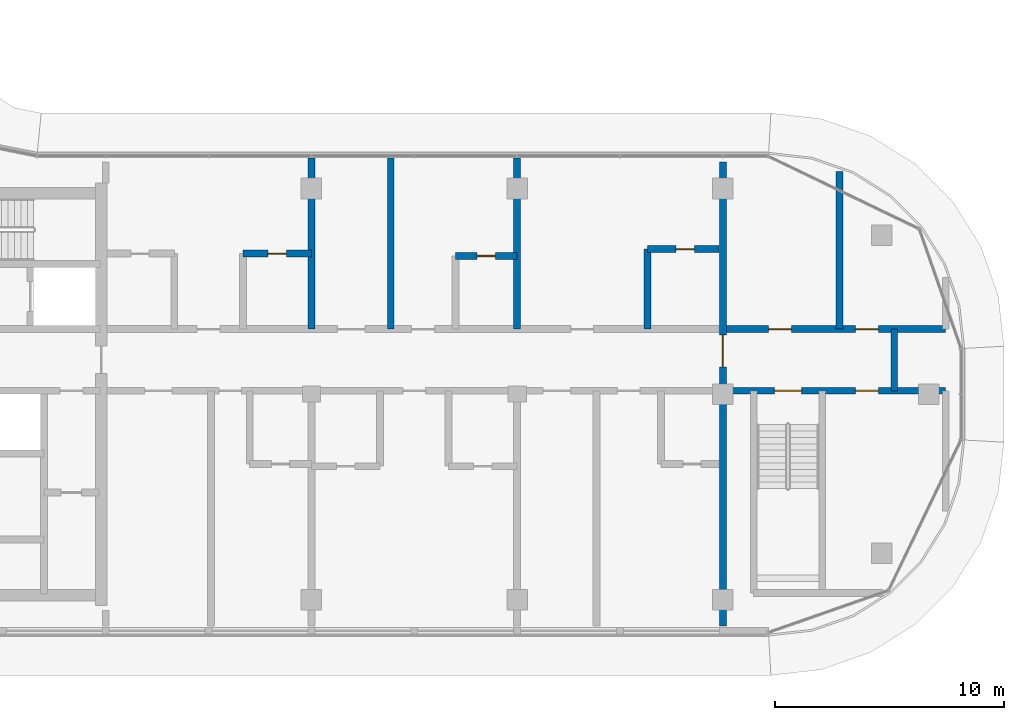
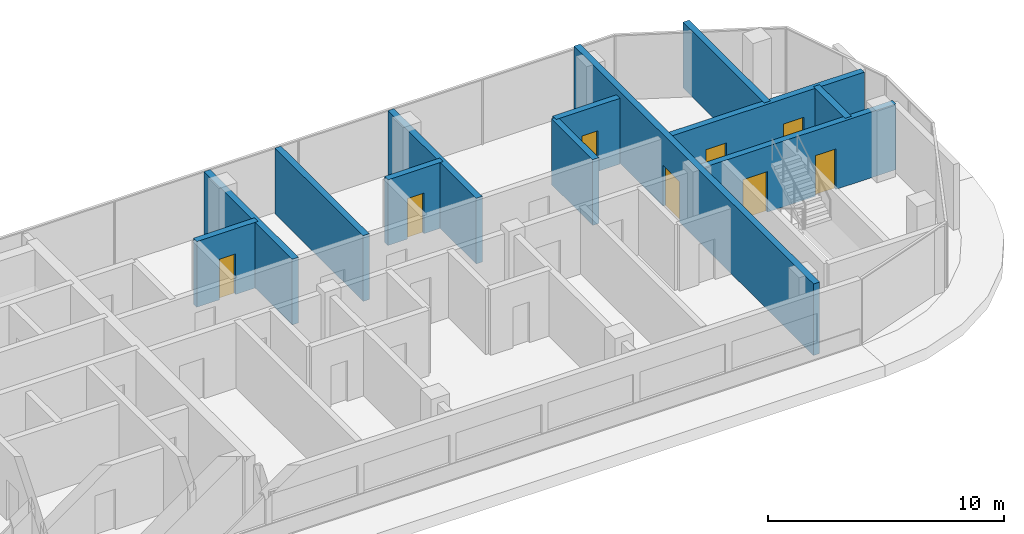
# One storey, part 12 of 21: 12 walls, 8 doors, 8 openings.
"""IFC4 building model written with IfcOpenShell, lengths in metres."""

from ifc_helpers import new_model, si_unit, direction, frame, frame_2d, origin, place, context, subcontext, project, spatial, rectangle, extrude, material, layer, layer_set, type_object, element, fill, save


model = new_model("IFC4")

# Units and contexts
model_context = context("Model", 3, precision=1e-05, world=origin(), true_north=direction((0.0, 1.0)))
body_context = subcontext(model_context, "Body", "Model", "MODEL_VIEW")
ifc_project = project(units=[si_unit("LENGTHUNIT", "METRE"), si_unit("AREAUNIT", "SQUARE_METRE"), si_unit("VOLUMEUNIT", "CUBIC_METRE"), si_unit("PLANEANGLEUNIT", "RADIAN"), si_unit("MASSUNIT", "GRAM", prefix="KILO")], contexts=[model_context])

# Site, building, storey
site_placement = place(None, origin())
site = spatial("IfcSite", under=ifc_project, at=site_placement, CompositionType="ELEMENT")
building_placement = place(site_placement, origin())
building = spatial("IfcBuilding", under=site, at=building_placement, Name="Ogive Portal Towers", CompositionType="ELEMENT")
storey_placement = place(building_placement, frame((0.0, 0.0, 225.39990234375)))
storey = spatial("IfcBuildingStorey", under=building, at=storey_placement, Name="L56", CompositionType="ELEMENT", Elevation=225.39990234375)

# Wall, opening, door
ifc_material_1 = material(Name="Concrete C60/75", Category="concrete")
ifc_layer_1 = layer(ifc_material_1, 0.300048828125)
ifc_layer_set_1 = layer_set([ifc_layer_1], Name="REVEAL WALL 300 C60")
wall_type_1 = type_object("IfcWallType", Name="REVEAL WALL 300 C60", PredefinedType="SHEAR", material=ifc_layer_set_1)
wall_1_placement = place(storey_placement, frame((85.5, 20.35009765625, 0.0), z_axis=(0.0, 0.0, 1.0), x_axis=(0.0, 1.0, 0.0)))
wall_1 = element("IfcWall", 1, at=wall_1_placement, inside=storey, type_object=wall_type_1, Name="Portal reveal wall L56", PredefinedType="SHEAR", context=body_context, shape_type="SweptSolid", body=[
    extrude(rectangle(XDim=20.2998046875, YDim=0.300048828125, at=frame_2d((10.14990234375, 0.0))), origin(), (0.0, 0.0, 1.0), 3.7001953125),
])
opening_1_placement = place(wall_1_placement, frame((11.35009765625, 0.0, 0.0)))
opening_1 = element("IfcOpeningElement", 2, at=opening_1_placement, cuts=wall_1, Name="Opening D25-059", PredefinedType="OPENING", context=body_context, shape_type="SweptSolid", body=[
    extrude(rectangle(XDim=1.39990234375, YDim=2.10009765625, at=frame_2d((0.699951171875, 1.050048828125))), frame((0.0, 0.16015625, 0.0), z_axis=(0.0, -1.0, 0.0), x_axis=(1.0, 0.0, 0.0)), (0.0, 0.0, 1.0), 0.320068359375),
])
ifc_material_2 = material(Name="Steel fire door", Category="steel")
door_type_1 = type_object("IfcDoorType", Name="DT-STAIR-1400x2100-FD90S", OperationType="SINGLE_SWING_LEFT", PredefinedType="DOOR", material=ifc_material_2)
door_1_placement = place(opening_1_placement, origin())
door_1 = element("IfcDoor", 3, at=door_1_placement, inside=storey, type_object=door_type_1, Name="Door D25-059", OperationType="SINGLE_SWING_RIGHT", OverallHeight=2.10009765625, OverallWidth=1.39990234375, PredefinedType="DOOR", context=body_context, shape_type="SweptSolid", body=[
    extrude(rectangle(XDim=1.39990234375, YDim=2.10009765625, at=frame_2d((0.699951171875, 1.050048828125))), frame((0.0, 0.02490234375, 0.0), z_axis=(0.0, -1.0, 0.0), x_axis=(1.0, 0.0, 0.0)), (0.0, 0.0, 1.0), 0.050048828125),
])
fill(opening_1, door_1)

# Wall, openings, doors
ifc_material_3 = material(Name="Concrete C50/60", Category="concrete")
ifc_layer_2 = layer(ifc_material_3, 0.300048828125)
ifc_layer_set_2 = layer_set([ifc_layer_2], Name="STAIR WALL 300 C50")
wall_type_2 = type_object("IfcWallType", Name="STAIR WALL 300 C50", PredefinedType="SHEAR", material=ifc_layer_set_2)
wall_2_placement = place(storey_placement, frame((85.669921875, 30.64990234375, 0.0), z_axis=(0.0, 0.0, 1.0), x_axis=(1.0, 0.0, 0.0)))
wall_2 = element("IfcWall", 4, at=wall_2_placement, inside=storey, type_object=wall_type_2, Name="Stair wall ST-A4 L56", PredefinedType="SHEAR", context=body_context, shape_type="SweptSolid", body=[
    extrude(rectangle(XDim=9.580078125, YDim=0.300048828125, at=frame_2d((4.7900390625, 0.0))), origin(), (0.0, 0.0, 1.0), 3.400146484375),
])
opening_2_placement = place(wall_2_placement, frame((2.080078125, 0.0, 0.0)))
opening_2 = element("IfcOpeningElement", 5, at=opening_2_placement, cuts=wall_2, Name="Opening D25-055", PredefinedType="OPENING", context=body_context, shape_type="SweptSolid", body=[
    extrude(rectangle(XDim=1.199951171875, YDim=2.10009765625, at=frame_2d((0.60009765625, 1.050048828125))), frame((0.0, 0.16015625, 0.0), z_axis=(0.0, -1.0, 0.0), x_axis=(1.0, 0.0, 0.0)), (0.0, 0.0, 1.0), 0.320068359375),
])
opening_3_placement = place(wall_2_placement, frame((5.6298828125, 0.0, 0.0)))
opening_3 = element("IfcOpeningElement", 6, at=opening_3_placement, cuts=wall_2, Name="Opening D25-058", PredefinedType="OPENING", context=body_context, shape_type="SweptSolid", body=[
    extrude(rectangle(XDim=1.0, YDim=2.10009765625, at=frame_2d((0.5, 1.050048828125))), frame((0.0, 0.16015625, 0.0), z_axis=(0.0, -1.0, 0.0), x_axis=(1.0, 0.0, 0.0)), (0.0, 0.0, 1.0), 0.320068359375),
])
door_type_2 = type_object("IfcDoorType", Name="DT-SERVICE-1000x2100-FD90S", OperationType="SINGLE_SWING_LEFT", PredefinedType="DOOR", material=ifc_material_2)
door_2_placement = place(opening_3_placement, origin())
door_2 = element("IfcDoor", 7, at=door_2_placement, inside=storey, type_object=door_type_2, Name="Door D25-058", OperationType="SINGLE_SWING_LEFT", OverallHeight=2.10009765625, OverallWidth=1.0, PredefinedType="DOOR", context=body_context, shape_type="SweptSolid", body=[
    extrude(rectangle(XDim=1.0, YDim=2.10009765625, at=frame_2d((0.5, 1.050048828125))), frame((0.0, 0.02490234375, 0.0), z_axis=(0.0, -1.0, 0.0), x_axis=(1.0, 0.0, 0.0)), (0.0, 0.0, 1.0), 0.050048828125),
])
fill(opening_3, door_2)
door_type_3 = type_object("IfcDoorType", Name="DT-STAIR-1200x2100-FD90S", OperationType="SINGLE_SWING_LEFT", PredefinedType="DOOR", material=ifc_material_2)
door_3_placement = place(opening_2_placement, origin())
door_3 = element("IfcDoor", 8, at=door_3_placement, inside=storey, type_object=door_type_3, Name="Door D25-055", OperationType="SINGLE_SWING_LEFT", OverallHeight=2.10009765625, OverallWidth=1.199951171875, PredefinedType="DOOR", context=body_context, shape_type="SweptSolid", body=[
    extrude(rectangle(XDim=1.199951171875, YDim=2.10009765625, at=frame_2d((0.60009765625, 1.050048828125))), frame((0.0, 0.02490234375, 0.0), z_axis=(0.0, -1.0, 0.0), x_axis=(1.0, 0.0, 0.0)), (0.0, 0.0, 1.0), 0.050048828125),
])
fill(opening_2, door_3)

ifc_material_4 = material(Name="Gypsum board partition on steel studs", Category="steel")
ifc_layer_3 = layer(ifc_material_4, 0.300048828125)
ifc_layer_set_3 = layer_set([ifc_layer_3], Name="WT-PART-300-EI 120")
wall_type_3 = type_object("IfcWallType", Name="WT-PART-300-EI 120", PredefinedType="PARTITIONING", material=ifc_layer_set_3)
wall_3_placement = place(storey_placement, frame((85.669921875, 33.35009765625, 0.0), z_axis=(0.0, 0.0, 1.0), x_axis=(1.0, 0.0, 0.0)))
wall_3 = element("IfcWall", 9, at=wall_3_placement, inside=storey, type_object=wall_type_3, Name="Wall L56:w009", PredefinedType="PARTITIONING", context=body_context, shape_type="SweptSolid", body=[
    extrude(rectangle(XDim=9.580078125, YDim=0.300048828125, at=frame_2d((4.7900390625, 0.0))), origin(), (0.0, 0.0, 1.0), 3.400146484375),
])
opening_4_placement = place(wall_3_placement, frame((1.830078125, 0.0, 0.0)))
opening_4 = element("IfcOpeningElement", 10, at=opening_4_placement, cuts=wall_3, Name="Opening D25-056", PredefinedType="OPENING", context=body_context, shape_type="SweptSolid", body=[
    extrude(rectangle(XDim=1.0, YDim=2.10009765625, at=frame_2d((0.5, 1.050048828125))), frame((0.0, 0.16015625, 0.0), z_axis=(0.0, -1.0, 0.0), x_axis=(1.0, 0.0, 0.0)), (0.0, 0.0, 1.0), 0.320068359375),
])
opening_5_placement = place(wall_3_placement, frame((5.6298828125, 0.0, 0.0)))
opening_5 = element("IfcOpeningElement", 11, at=opening_5_placement, cuts=wall_3, Name="Opening D25-057", PredefinedType="OPENING", context=body_context, shape_type="SweptSolid", body=[
    extrude(rectangle(XDim=1.0, YDim=2.10009765625, at=frame_2d((0.5, 1.050048828125))), frame((0.0, 0.16015625, 0.0), z_axis=(0.0, -1.0, 0.0), x_axis=(1.0, 0.0, 0.0)), (0.0, 0.0, 1.0), 0.320068359375),
])
door_4_placement = place(opening_4_placement, origin())
door_4 = element("IfcDoor", 12, at=door_4_placement, inside=storey, type_object=door_type_2, Name="Door D25-056", OperationType="SINGLE_SWING_LEFT", OverallHeight=2.10009765625, OverallWidth=1.0, PredefinedType="DOOR", context=body_context, shape_type="SweptSolid", body=[
    extrude(rectangle(XDim=1.0, YDim=2.10009765625, at=frame_2d((0.5, 1.050048828125))), frame((0.0, 0.02490234375, 0.0), z_axis=(0.0, -1.0, 0.0), x_axis=(1.0, 0.0, 0.0)), (0.0, 0.0, 1.0), 0.050048828125),
])
fill(opening_4, door_4)
door_5_placement = place(opening_5_placement, origin())
door_5 = element("IfcDoor", 13, at=door_5_placement, inside=storey, type_object=door_type_2, Name="Riser access door D25-057", OperationType="SINGLE_SWING_RIGHT", OverallHeight=2.10009765625, OverallWidth=1.0, PredefinedType="DOOR", context=body_context, shape_type="SweptSolid", body=[
    extrude(rectangle(XDim=1.0, YDim=2.10009765625, at=frame_2d((0.5, 1.050048828125))), frame((0.0, 0.02490234375, 0.0), z_axis=(0.0, -1.0, 0.0), x_axis=(1.0, 0.0, 0.0)), (0.0, 0.0, 1.0), 0.050048828125),
])
fill(opening_5, door_5)

# Wall
wall_4_placement = place(storey_placement, frame((93.0, 30.64990234375, 0.0), z_axis=(0.0, 0.0, 1.0), x_axis=(0.0, 1.0, 0.0)))
element("IfcWall", 14, at=wall_4_placement, inside=storey, type_object=wall_type_3, Name="Wall L56:w055", PredefinedType="PARTITIONING", context=body_context, shape_type="SweptSolid", body=[
    extrude(rectangle(XDim=2.7001953125, YDim=0.300048828125, at=frame_2d((1.35009765625, 0.0))), origin(), (0.0, 0.0, 1.0), 3.400146484375),
])

# Wall, opening, door
ifc_layer_4 = layer(ifc_material_4, 0.300048828125)
ifc_layer_set_4 = layer_set([ifc_layer_4], Name="WT-PART-300-EI 60")
wall_type_4 = type_object("IfcWallType", Name="WT-PART-300-EI 60", PredefinedType="PARTITIONING", material=ifc_layer_set_4)
wall_5_placement = place(storey_placement, frame((73.800048828125, 36.550048828125, 0.0), z_axis=(0.0, 0.0, 1.0), x_axis=(1.0, 0.0, 0.0)))
wall_5 = element("IfcWall", 15, at=wall_5_placement, inside=storey, type_object=wall_type_4, Name="Wall L56:w010", PredefinedType="PARTITIONING", context=body_context, shape_type="SweptSolid", body=[
    extrude(rectangle(XDim=2.699951171875, YDim=0.300048828125, at=frame_2d((1.35009765625, 0.0))), origin(), (0.0, 0.0, 1.0), 3.400146484375),
])
opening_6_placement = place(wall_5_placement, frame((0.949951171875, 0.0, 0.0)))
opening_6 = element("IfcOpeningElement", 16, at=opening_6_placement, cuts=wall_5, Name="Opening D25-033", PredefinedType="OPENING", context=body_context, shape_type="SweptSolid", body=[
    extrude(rectangle(XDim=0.800048828125, YDim=2.10009765625, at=frame_2d((0.39990234375, 1.050048828125))), frame((0.0, 0.16015625, 0.0), z_axis=(0.0, -1.0, 0.0), x_axis=(1.0, 0.0, 0.0)), (0.0, 0.0, 1.0), 0.320068359375),
])
door_type_4 = type_object("IfcDoorType", Name="DT-BATH-800x2100-FD60S", OperationType="SINGLE_SWING_LEFT", PredefinedType="DOOR", material=ifc_material_2)
door_6_placement = place(opening_6_placement, origin())
door_6 = element("IfcDoor", 17, at=door_6_placement, inside=storey, type_object=door_type_4, Name="Door D25-033", OperationType="SINGLE_SWING_RIGHT", OverallHeight=2.10009765625, OverallWidth=0.800048828125, PredefinedType="DOOR", context=body_context, shape_type="SweptSolid", body=[
    extrude(rectangle(XDim=0.800048828125, YDim=2.10009765625, at=frame_2d((0.39990234375, 1.050048828125))), frame((0.0, 0.02490234375, 0.0), z_axis=(0.0, -1.0, 0.0), x_axis=(1.0, 0.0, 0.0)), (0.0, 0.0, 1.0), 0.050048828125),
])
fill(opening_6, door_6)

wall_6_placement = place(storey_placement, frame((64.5, 36.64990234375, 0.0), z_axis=(0.0, 0.0, 1.0), x_axis=(1.0, 0.0, 0.0)))
wall_6 = element("IfcWall", 18, at=wall_6_placement, inside=storey, type_object=wall_type_4, Name="Wall L56:w012", PredefinedType="PARTITIONING", context=body_context, shape_type="SweptSolid", body=[
    extrude(rectangle(XDim=3.0, YDim=0.300048828125, at=frame_2d((1.5, 0.0))), origin(), (0.0, 0.0, 1.0), 3.400146484375),
])
opening_7_placement = place(wall_6_placement, frame((1.10009765625, 0.0, 0.0)))
opening_7 = element("IfcOpeningElement", 19, at=opening_7_placement, cuts=wall_6, Name="Opening D25-027", PredefinedType="OPENING", context=body_context, shape_type="SweptSolid", body=[
    extrude(rectangle(XDim=0.800048828125, YDim=2.10009765625, at=frame_2d((0.39990234375, 1.050048828125))), frame((0.0, 0.16015625, 0.0), z_axis=(0.0, -1.0, 0.0), x_axis=(1.0, 0.0, 0.0)), (0.0, 0.0, 1.0), 0.320068359375),
])
door_7_placement = place(opening_7_placement, origin())
door_7 = element("IfcDoor", 20, at=door_7_placement, inside=storey, type_object=door_type_4, Name="Door D25-027", OperationType="SINGLE_SWING_RIGHT", OverallHeight=2.10009765625, OverallWidth=0.800048828125, PredefinedType="DOOR", context=body_context, shape_type="SweptSolid", body=[
    extrude(rectangle(XDim=0.800048828125, YDim=2.10009765625, at=frame_2d((0.39990234375, 1.050048828125))), frame((0.0, 0.02490234375, 0.0), z_axis=(0.0, -1.0, 0.0), x_axis=(1.0, 0.0, 0.0)), (0.0, 0.0, 1.0), 0.050048828125),
])
fill(opening_7, door_7)

wall_7_placement = place(storey_placement, frame((82.199951171875, 36.85009765625, 0.0), z_axis=(0.0, 0.0, 1.0), x_axis=(1.0, 0.0, 0.0)))
wall_7 = element("IfcWall", 21, at=wall_7_placement, inside=storey, type_object=wall_type_4, Name="Wall L56:w013", PredefinedType="PARTITIONING", context=body_context, shape_type="SweptSolid", body=[
    extrude(rectangle(XDim=3.130126953125, YDim=0.300048828125, at=frame_2d((1.56494140625, 0.0))), origin(), (0.0, 0.0, 1.0), 3.400146484375),
])
opening_8_placement = place(wall_7_placement, frame((1.25, 0.0, 0.0)))
opening_8 = element("IfcOpeningElement", 22, at=opening_8_placement, cuts=wall_7, Name="Opening D25-038", PredefinedType="OPENING", context=body_context, shape_type="SweptSolid", body=[
    extrude(rectangle(XDim=0.800048828125, YDim=2.10009765625, at=frame_2d((0.39990234375, 1.050048828125))), frame((0.0, 0.16015625, 0.0), z_axis=(0.0, -1.0, 0.0), x_axis=(1.0, 0.0, 0.0)), (0.0, 0.0, 1.0), 0.320068359375),
])
door_8_placement = place(opening_8_placement, origin())
door_8 = element("IfcDoor", 23, at=door_8_placement, inside=storey, type_object=door_type_4, Name="Door D25-038", OperationType="SINGLE_SWING_LEFT", OverallHeight=2.10009765625, OverallWidth=0.800048828125, PredefinedType="DOOR", context=body_context, shape_type="SweptSolid", body=[
    extrude(rectangle(XDim=0.800048828125, YDim=2.10009765625, at=frame_2d((0.39990234375, 1.050048828125))), frame((0.0, 0.02490234375, 0.0), z_axis=(0.0, -1.0, 0.0), x_axis=(1.0, 0.0, 0.0)), (0.0, 0.0, 1.0), 0.050048828125),
])
fill(opening_8, door_8)

# Walls
for number, where, z_axis, x_axis, name in (
    (24, (67.5, 33.35009765625, 0.0), (0.0, 0.0, 1.0), (0.0, 1.0, 0.0), "Wall L56:w042"),
    (25, (70.969970703125, 33.35009765625, 0.0), (0.0, 0.0, 1.0), (0.0, 1.0, 0.0), "Wall L56:w044"),
    (26, (76.5, 33.35009765625, 0.0), (0.0, 0.0, 1.0), (0.0, 1.0, 0.0), "Wall L56:w048"),
):
    element("IfcWall", number, at=place(storey_placement, frame(where, z_axis=z_axis, x_axis=x_axis)), inside=storey, type_object=wall_type_4, Name=name, PredefinedType="PARTITIONING", context=body_context, shape_type="SweptSolid", body=[
        extrude(rectangle(XDim=7.47998046875, YDim=0.300048828125, at=frame_2d((3.739990234375, 0.0))), origin(), (0.0, 0.0, 1.0), 3.400146484375),
    ])
wall_8_placement = place(storey_placement, frame((82.199951171875, 33.35009765625, 0.0), z_axis=(0.0, 0.0, 1.0), x_axis=(0.0, 1.0, 0.0)))
element("IfcWall", 27, at=wall_8_placement, inside=storey, type_object=wall_type_4, Name="Wall L56:w050", PredefinedType="PARTITIONING", context=body_context, shape_type="SweptSolid", body=[
    extrude(rectangle(XDim=3.5, YDim=0.300048828125, at=frame_2d((1.75, 0.0))), origin(), (0.0, 0.0, 1.0), 3.400146484375),
])
wall_9_placement = place(storey_placement, frame((90.60009765625, 33.35009765625, 0.0), z_axis=(0.0, 0.0, 1.0), x_axis=(0.0, 1.0, 0.0)))
element("IfcWall", 28, at=wall_9_placement, inside=storey, type_object=wall_type_4, Name="Wall L56:w054", PredefinedType="PARTITIONING", context=body_context, shape_type="SweptSolid", body=[
    extrude(rectangle(XDim=6.89794921875, YDim=0.300048828125, at=frame_2d((3.448974609375, 0.0))), origin(), (0.0, 0.0, 1.0), 3.400146484375),
])

save(model, "model.ifc")
